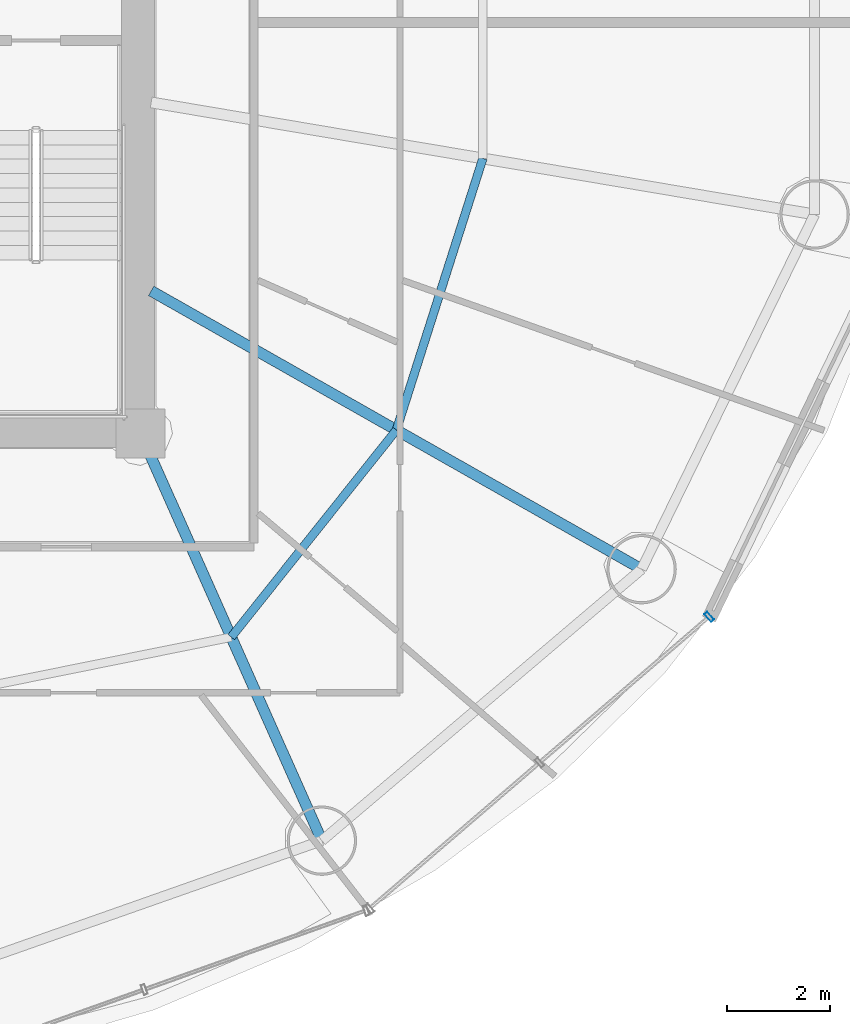
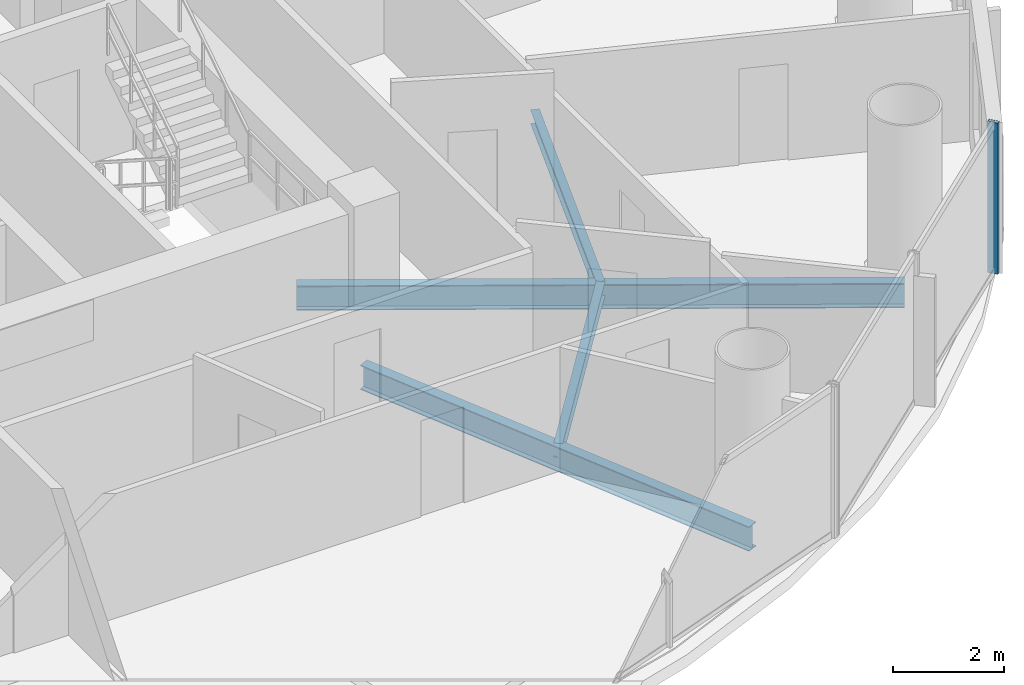
# One storey, part 10 of 27: 4 beams, 1 member, 1 element without a shape of its own.
"""IFC4 building model written with IfcOpenShell, lengths in metres."""

from ifc_helpers import new_model, si_unit, direction, frame, origin, origin_2d, place, context, subcontext, project, spatial, hollow_rectangle, i_section, extrude, source, transform, mapped, material, material_profile, profile_set, type_object, element, aggregate, save


model = new_model("IFC4")

# Units and contexts
model_context = context("Model", 3, precision=1e-05, world=origin(), true_north=direction((-0.2419218956, 0.970295726276)))
body_context = subcontext(model_context, "Body", "Model", "MODEL_VIEW")
ifc_project = project(units=[si_unit("LENGTHUNIT", "METRE"), si_unit("AREAUNIT", "SQUARE_METRE"), si_unit("VOLUMEUNIT", "CUBIC_METRE"), si_unit("PLANEANGLEUNIT", "RADIAN"), si_unit("MASSUNIT", "GRAM", prefix="KILO")], contexts=[model_context])

# Site, building, storey
site_placement = place(None, origin())
site = spatial("IfcSite", under=ifc_project, at=site_placement, CompositionType="ELEMENT")
building_placement = place(site_placement, origin())
building = spatial("IfcBuilding", under=site, at=building_placement, Name="Cobrevalo Terracotta Tower", CompositionType="ELEMENT")
storey_placement = place(building_placement, frame((0.0, 0.0, 157.0)))
storey = spatial("IfcBuildingStorey", under=building, at=storey_placement, Name="L41", CompositionType="ELEMENT", Elevation=157.0)

# Beams
ifc_material_1 = material(Name="Steel S355", Category="steel")
ifc_material_profile_1 = material_profile(ifc_material_1, i_section(OverallWidth=0.2109375, OverallDepth=0.5390625, WebThickness=0.01171875, FlangeThickness=0.018798828125, at=origin_2d()), Name="W 530x109")
ifc_profile_set_1 = profile_set([ifc_material_profile_1], Name="Steel S355")
beam_type_1 = type_object("IfcBeamType", Name="Structural Beam W 530x109 (Steel S355)", PredefinedType="BEAM", material=ifc_profile_set_1)
beam_1_placement = place(storey_placement, frame((50.528076171875, 10.87744140625, -0.53955078125), z_axis=(-0.406804395691, 0.913515289224, 0.0), x_axis=(-0.913515289224, -0.406804395691, 0.0)))
element("IfcBeam", 1, at=beam_1_placement, inside=storey, type_object=beam_type_1, Name="L41 radial floor girder 14", PredefinedType="BEAM", context=body_context, shape_type="SweptSolid", body=[
    extrude(i_section(OverallWidth=0.2109375, OverallDepth=0.5390625, WebThickness=0.01171875, FlangeThickness=0.018798828125, at=origin_2d()), origin(), (0.0, 0.0, 1.0), 8.672607421875),
])
beam_2_placement = place(storey_placement, frame((56.749755859375, 16.160888671875, -0.53955078125), z_axis=(-0.869743726706, 0.493503647257, 0.0), x_axis=(-0.493503647257, -0.869743726706, 0.0)))
element("IfcBeam", 2, at=beam_2_placement, inside=storey, type_object=beam_type_1, Name="L41 radial floor girder 15", PredefinedType="BEAM", context=body_context, shape_type="SweptSolid", body=[
    extrude(i_section(OverallWidth=0.2109375, OverallDepth=0.5390625, WebThickness=0.01171875, FlangeThickness=0.018798828125, at=origin_2d()), origin(), (0.0, 0.0, 1.0), 10.97412109375),
])
ifc_material_profile_2 = material_profile(ifc_material_1, i_section(OverallWidth=0.1650390625, OverallDepth=0.31005859375, WebThickness=0.005859375, FlangeThickness=0.009765625, at=origin_2d()), Name="W 310x38.7")
ifc_profile_set_2 = profile_set([ifc_material_profile_2], Name="Steel S355")
beam_type_2 = type_object("IfcBeamType", Name="Structural Joist W 310x38.7 (Steel S355)", PredefinedType="JOIST", material=ifc_profile_set_2)
beam_3_placement = place(storey_placement, frame((48.76416015625, 14.838623046875, -0.425048828125), z_axis=(0.623382939397, 0.781916690492, 0.0), x_axis=(-0.781916690492, 0.623382939397, 0.0)))
element("IfcBeam", 3, at=beam_3_placement, inside=storey, type_object=beam_type_2, Name="L41 circumferential secondary floor joist 14", PredefinedType="JOIST", context=body_context, shape_type="SweptSolid", body=[
    extrude(i_section(OverallWidth=0.1650390625, OverallDepth=0.31005859375, WebThickness=0.005859375, FlangeThickness=0.009765625, at=origin_2d()), origin(), (0.0, 0.0, 1.0), 5.154296875),
])
beam_4_placement = place(storey_placement, frame((51.977294921875, 18.868896484375, -0.425048828125), z_axis=(0.303497928386, 0.952832098255, 0.0), x_axis=(-0.952832098255, 0.303497928386, 0.0)))
element("IfcBeam", 4, at=beam_4_placement, inside=storey, type_object=beam_type_2, Name="L41 circumferential secondary floor joist 15", PredefinedType="JOIST", context=body_context, shape_type="SweptSolid", body=[
    extrude(i_section(OverallWidth=0.1650390625, OverallDepth=0.31005859375, WebThickness=0.005859375, FlangeThickness=0.009765625, at=origin_2d()), origin(), (0.0, 0.0, 1.0), 5.54736328125),
])

# Curtain wall, member
ifc_material_2 = material(Name="Anodized aluminium", Category="aluminium")
curtain_wall_type = type_object("IfcCurtainWallType", Name="Mid-tower high-wind unitised curtain wall CW-U2", PredefinedType="NOTDEFINED", material=ifc_material_2)
curtain_wall_placement = place(storey_placement, origin())
curtain_wall = element("IfcCurtainWall", 5, at=curtain_wall_placement, inside=storey, type_object=curtain_wall_type, Name="L41 curtain wall CW-L41-S14", PredefinedType="NOTDEFINED")
ifc_material_profile_3 = material_profile(ifc_material_2, hollow_rectangle(XDim=0.074951171875, YDim=0.199951171875, WallThickness=0.0048828125, at=origin_2d()), Name="CWM 75x200")
ifc_profile_set_3 = profile_set([ifc_material_profile_3], Name="Anodized aluminium")
member_type = type_object("IfcMemberType", Name="Lower/mid tower unitised mullion 75x200", PredefinedType="MULLION", material=ifc_profile_set_3)
shared_shape = source(origin(), body_context, "Body", "SweptSolid", [
    extrude(hollow_rectangle(XDim=0.074951171875, YDim=0.199951171875, WallThickness=0.0048828125, at=origin_2d()), origin(), (0.0, 0.0, 1.0), 3.330078125),
])
member_placement = place(storey_placement, frame((58.066162109375, 15.234619140625, 0.0), z_axis=(0.0, 0.0, 1.0), x_axis=(0.758441546142, 0.65174106905, 0.0)))
member = element("IfcMember", 6, at=member_placement, type_object=member_type, Name="CW-L41-S14 vertical mullion 03", PredefinedType="MULLION", context=body_context, shape_type="MappedRepresentation", body=[
    mapped(shared_shape, transform((0.0, 0.0, 0.0), scale=1.0)),
])
aggregate(curtain_wall, [member])

save(model, "model.ifc")
